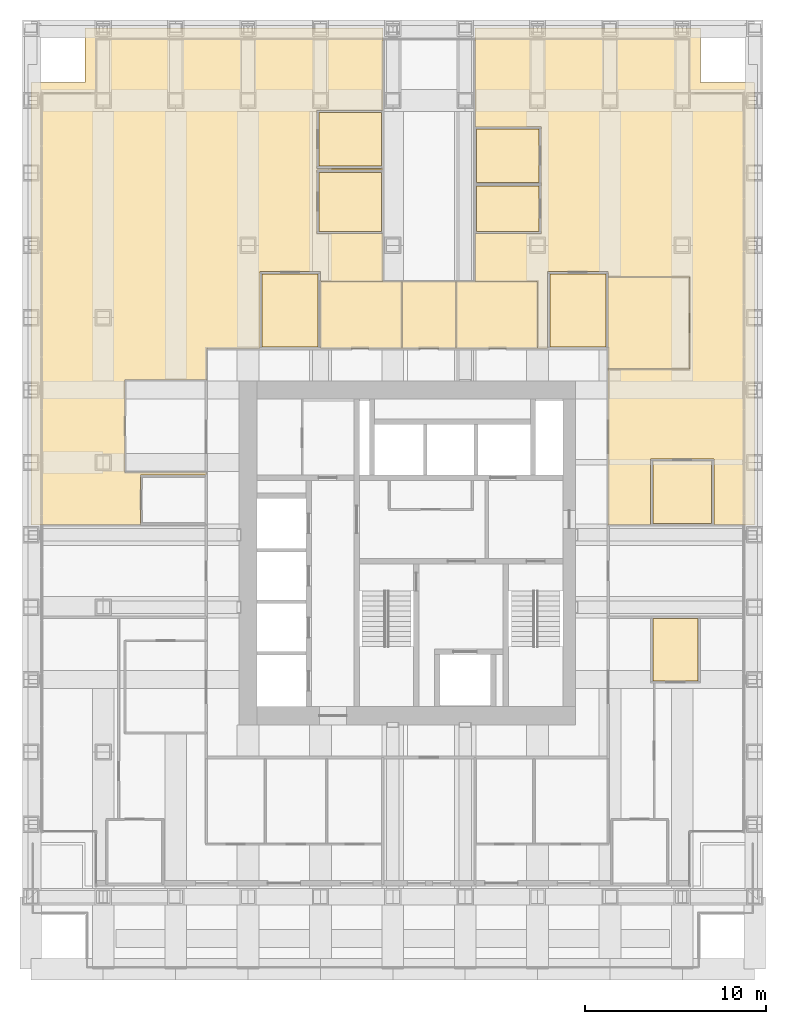
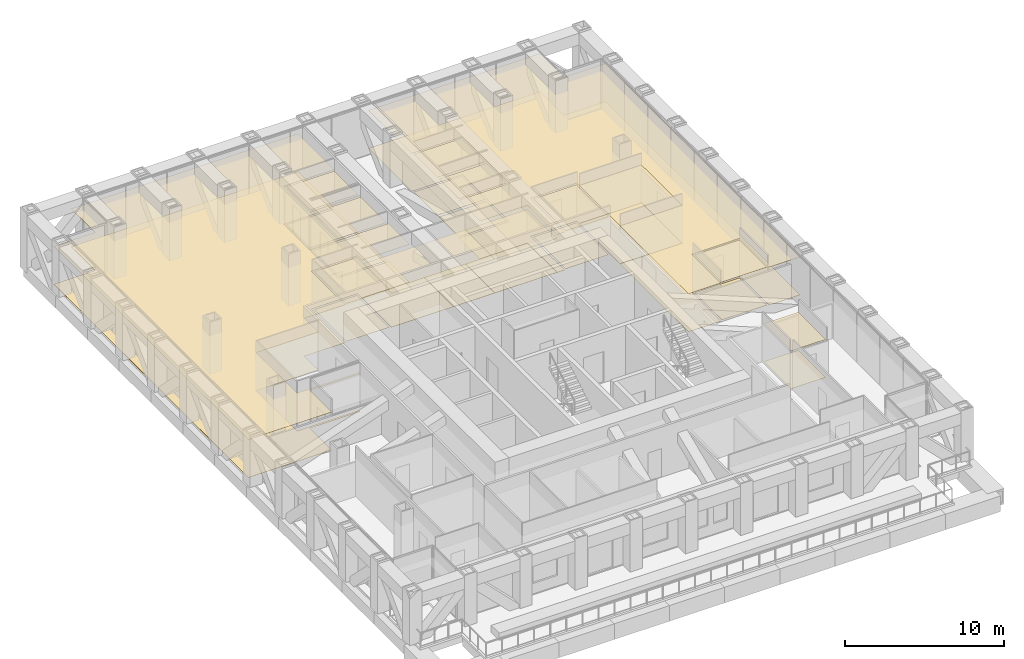
# One storey, part 15 of 16: 28 coverings.
"""IFC4 building model written with IfcOpenShell, lengths in metres."""

from ifc_helpers import new_model, si_unit, direction, frame, origin, place, context, subcontext, project, spatial, polyline, outline, extrude, material, layer, layer_set, type_object, element, save


model = new_model("IFC4")

# Units and contexts
model_context = context("Model", 3, precision=1e-05, world=origin(), true_north=direction((0.0, 1.0)))
body_context = subcontext(model_context, "Body", "Model", "MODEL_VIEW")
ifc_project = project(units=[si_unit("LENGTHUNIT", "METRE"), si_unit("AREAUNIT", "SQUARE_METRE"), si_unit("VOLUMEUNIT", "CUBIC_METRE"), si_unit("PLANEANGLEUNIT", "RADIAN"), si_unit("MASSUNIT", "GRAM", prefix="KILO")], contexts=[model_context])

# Site, building, storey
site_placement = place(None, origin())
site = spatial("IfcSite", under=ifc_project, at=site_placement, CompositionType="ELEMENT")
building_placement = place(site_placement, origin())
building = spatial("IfcBuilding", under=site, at=building_placement, Name="Rimbunsela Tower", CompositionType="ELEMENT")
storey_placement = place(building_placement, frame((0.0, 0.0, 171.800048828125)))
storey = spatial("IfcBuildingStorey", under=building, at=storey_placement, Name="L41", CompositionType="ELEMENT", Elevation=171.800048828125)

# Coverings
ifc_material_1 = material(Name="Nylon carpet tile", Category="textile")
ifc_layer_1 = layer(ifc_material_1, 0.010009765625)
ifc_layer_set_1 = layer_set([ifc_layer_1], Name="Carpet tile 10")
covering_type_1 = type_object("IfcCoveringType", Name="Carpet tile 10", PredefinedType="FLOORING", material=ifc_layer_set_1)
covering_1_placement = place(storey_placement, origin())
element("IfcCovering", 1, at=covering_1_placement, inside=storey, type_object=covering_type_1, Name="Floor finish Open office", PredefinedType="FLOORING", context=body_context, shape_type="SweptSolid", body=[
    extrude(outline(polyline([(11.199951171875, 31.450927734375), (15.699951171875, 31.450927734375), (15.699951171875, 31.300048828125), (12.050048828125, 31.300048828125), (12.050048828125, 28.551025390625), (6.0, 28.551025390625), (6.0, 53.0), (9.0, 53.0), (9.0, 56.0), (15.699951171875, 56.0), (25.448974609375, 56.0), (25.448974609375, 51.449951171875), (21.800048828125, 51.449951171875), (21.800048828125, 48.25), (25.448974609375, 48.25), (25.448974609375, 48.14990234375), (21.800048828125, 48.14990234375), (21.800048828125, 44.64990234375), (25.448974609375, 44.64990234375), (25.448974609375, 42.0), (22.0, 42.0), (22.0, 42.550048828125), (18.64990234375, 42.550048828125), (18.64990234375, 38.300048828125), (15.699951171875, 38.300048828125), (15.699951171875, 36.551025390625), (11.199951171875, 36.551025390625), (11.199951171875, 31.450927734375)])), origin(), (0.0, 0.0, 1.0), 0.010009765625),
])
covering_2_placement = place(storey_placement, origin())
element("IfcCovering", 2, at=covering_2_placement, inside=storey, type_object=covering_type_1, Name="Floor finish Open office", PredefinedType="FLOORING", context=body_context, shape_type="SweptSolid", body=[
    extrude(outline(polyline([(37.89990234375, 42.550048828125), (34.550048828125, 42.550048828125), (34.550048828125, 38.300048828125), (34.0, 38.300048828125), (34.0, 42.0), (30.551025390625, 42.0), (30.551025390625, 44.64990234375), (34.199951171875, 44.64990234375), (34.199951171875, 47.35009765625), (34.199951171875, 47.39990234375), (34.199951171875, 50.550048828125), (30.551025390625, 50.550048828125), (30.551025390625, 56.0), (37.89990234375, 56.0), (43.0, 56.0), (43.0, 53.0), (46.0, 53.0), (46.0, 28.551025390625), (43.75, 28.551025390625), (43.75, 32.199951171875), (40.25, 32.199951171875), (40.25, 28.551025390625), (37.89990234375, 28.551025390625), (37.89990234375, 37.15087890625), (42.39990234375, 37.15087890625), (42.39990234375, 42.2509765625), (37.89990234375, 42.2509765625), (37.89990234375, 42.550048828125)])), origin(), (0.0, 0.0, 1.0), 0.010009765625),
])
covering_3_placement = place(storey_placement, origin())
element("IfcCovering", 3, at=covering_3_placement, inside=storey, type_object=covering_type_1, Name="Floor finish Reception", PredefinedType="FLOORING", context=body_context, shape_type="SweptSolid", body=[
    extrude(outline(polyline([(42.39990234375, 37.15087890625), (42.39990234375, 42.2509765625), (37.89990234375, 42.2509765625), (37.89990234375, 37.15087890625), (42.39990234375, 37.15087890625)])), origin(), (0.0, 0.0, 1.0), 0.010009765625),
])
covering_4_placement = place(storey_placement, origin())
element("IfcCovering", 4, at=covering_4_placement, inside=storey, type_object=covering_type_1, Name="Floor finish Interview room", PredefinedType="FLOORING", context=body_context, shape_type="SweptSolid", body=[
    extrude(outline(polyline([(21.875, 38.375), (21.875, 42.425048828125), (18.77490234375, 42.425048828125), (18.77490234375, 38.375), (21.875, 38.375)])), origin(), (0.0, 0.0, 1.0), 0.010009765625),
])
covering_5_placement = place(storey_placement, origin())
element("IfcCovering", 5, at=covering_5_placement, inside=storey, type_object=covering_type_1, Name="Floor finish Pantry", PredefinedType="FLOORING", context=body_context, shape_type="SweptSolid", body=[
    extrude(outline(polyline([(25.375, 44.77490234375), (25.375, 48.02490234375), (21.925048828125, 48.02490234375), (21.925048828125, 44.77490234375), (25.375, 44.77490234375)])), origin(), (0.0, 0.0, 1.0), 0.010009765625),
])
covering_6_placement = place(storey_placement, origin())
element("IfcCovering", 6, at=covering_6_placement, inside=storey, type_object=covering_type_1, Name="Floor finish Office", PredefinedType="FLOORING", context=body_context, shape_type="SweptSolid", body=[
    extrude(outline(polyline([(25.375, 48.375), (25.375, 51.324951171875), (21.925048828125, 51.324951171875), (21.925048828125, 48.375), (25.375, 48.375)])), origin(), (0.0, 0.0, 1.0), 0.010009765625),
])
covering_7_placement = place(storey_placement, origin())
element("IfcCovering", 7, at=covering_7_placement, inside=storey, type_object=covering_type_1, Name="Floor finish Print and copy room", PredefinedType="FLOORING", context=body_context, shape_type="SweptSolid", body=[
    extrude(outline(polyline([(42.875, 19.925048828125), (42.875, 23.375), (40.375, 23.375), (40.375, 19.925048828125), (42.875, 19.925048828125)])), origin(), (0.0, 0.0, 1.0), 0.010009765625),
])
covering_8_placement = place(storey_placement, origin())
element("IfcCovering", 8, at=covering_8_placement, inside=storey, type_object=covering_type_1, Name="Floor finish Interview room", PredefinedType="FLOORING", context=body_context, shape_type="SweptSolid", body=[
    extrude(outline(polyline([(37.77490234375, 38.375), (37.77490234375, 42.425048828125), (34.675048828125, 42.425048828125), (34.675048828125, 38.375), (37.77490234375, 38.375)])), origin(), (0.0, 0.0, 1.0), 0.010009765625),
])
covering_9_placement = place(storey_placement, origin())
element("IfcCovering", 9, at=covering_9_placement, inside=storey, type_object=covering_type_1, Name="Floor finish Pantry", PredefinedType="FLOORING", context=body_context, shape_type="SweptSolid", body=[
    extrude(outline(polyline([(43.625, 28.625), (43.625, 32.074951171875), (40.375, 32.074951171875), (40.375, 28.625), (43.625, 28.625)])), origin(), (0.0, 0.0, 1.0), 0.010009765625),
])
covering_10_placement = place(storey_placement, origin())
element("IfcCovering", 10, at=covering_10_placement, inside=storey, type_object=covering_type_1, Name="Floor finish Print and copy room", PredefinedType="FLOORING", context=body_context, shape_type="SweptSolid", body=[
    extrude(outline(polyline([(34.074951171875, 44.77490234375), (34.074951171875, 47.27490234375), (30.625, 47.27490234375), (30.625, 44.77490234375), (34.074951171875, 44.77490234375)])), origin(), (0.0, 0.0, 1.0), 0.010009765625),
])
covering_11_placement = place(storey_placement, origin())
element("IfcCovering", 11, at=covering_11_placement, inside=storey, type_object=covering_type_1, Name="Floor finish Office", PredefinedType="FLOORING", context=body_context, shape_type="SweptSolid", body=[
    extrude(outline(polyline([(34.074951171875, 47.47509765625), (34.074951171875, 50.425048828125), (30.625, 50.425048828125), (30.625, 47.47509765625), (34.074951171875, 47.47509765625)])), origin(), (0.0, 0.0, 1.0), 0.010009765625),
])
ifc_material_2 = material(Name="Mineral fibre ceiling tile", Category="gypsum")
ifc_layer_2 = layer(ifc_material_2, 0.02001953125)
ifc_layer_set_2 = layer_set([ifc_layer_2], Name="Ceiling 600 grid")
covering_type_2 = type_object("IfcCoveringType", Name="Ceiling 600 grid", PredefinedType="CEILING", material=ifc_layer_set_2)
covering_12_placement = place(storey_placement, frame((0.0, 0.0, 2.89990234375)))
element("IfcCovering", 12, at=covering_12_placement, inside=storey, type_object=covering_type_2, Name="Ceiling Open office", PredefinedType="CEILING", context=body_context, shape_type="SweptSolid", body=[
    extrude(outline(polyline([(11.199951171875, 31.450927734375), (15.699951171875, 31.450927734375), (15.699951171875, 31.300048828125), (12.050048828125, 31.300048828125), (12.050048828125, 28.551025390625), (6.0, 28.551025390625), (6.0, 53.0), (9.0, 53.0), (9.0, 56.0), (15.699951171875, 56.0), (25.448974609375, 56.0), (25.448974609375, 51.449951171875), (21.800048828125, 51.449951171875), (21.800048828125, 48.25), (25.448974609375, 48.25), (25.448974609375, 48.14990234375), (21.800048828125, 48.14990234375), (21.800048828125, 44.64990234375), (25.448974609375, 44.64990234375), (25.448974609375, 42.0), (22.0, 42.0), (22.0, 42.550048828125), (18.64990234375, 42.550048828125), (18.64990234375, 38.300048828125), (15.699951171875, 38.300048828125), (15.699951171875, 36.551025390625), (11.199951171875, 36.551025390625), (11.199951171875, 31.450927734375)])), origin(), (0.0, 0.0, 1.0), 0.02001953125),
])
covering_13_placement = place(storey_placement, frame((0.0, 0.0, 2.89990234375)))
element("IfcCovering", 13, at=covering_13_placement, inside=storey, type_object=covering_type_2, Name="Ceiling Open office", PredefinedType="CEILING", context=body_context, shape_type="SweptSolid", body=[
    extrude(outline(polyline([(37.89990234375, 42.550048828125), (34.550048828125, 42.550048828125), (34.550048828125, 38.300048828125), (34.0, 38.300048828125), (34.0, 42.0), (30.551025390625, 42.0), (30.551025390625, 44.64990234375), (34.199951171875, 44.64990234375), (34.199951171875, 47.35009765625), (34.199951171875, 47.39990234375), (34.199951171875, 50.550048828125), (30.551025390625, 50.550048828125), (30.551025390625, 56.0), (37.89990234375, 56.0), (43.0, 56.0), (43.0, 53.0), (46.0, 53.0), (46.0, 28.551025390625), (43.75, 28.551025390625), (43.75, 32.199951171875), (40.25, 32.199951171875), (40.25, 28.551025390625), (37.89990234375, 28.551025390625), (37.89990234375, 37.15087890625), (42.39990234375, 37.15087890625), (42.39990234375, 42.2509765625), (37.89990234375, 42.2509765625), (37.89990234375, 42.550048828125)])), origin(), (0.0, 0.0, 1.0), 0.02001953125),
])
covering_14_placement = place(storey_placement, frame((0.0, 0.0, 2.89990234375)))
element("IfcCovering", 14, at=covering_14_placement, inside=storey, type_object=covering_type_2, Name="Ceiling Reception", PredefinedType="CEILING", context=body_context, shape_type="SweptSolid", body=[
    extrude(outline(polyline([(42.39990234375, 37.15087890625), (42.39990234375, 42.2509765625), (37.89990234375, 42.2509765625), (37.89990234375, 37.15087890625), (42.39990234375, 37.15087890625)])), origin(), (0.0, 0.0, 1.0), 0.02001953125),
])
covering_15_placement = place(storey_placement, frame((0.0, 0.0, 2.89990234375)))
element("IfcCovering", 15, at=covering_15_placement, inside=storey, type_object=covering_type_2, Name="Ceiling Interview room", PredefinedType="CEILING", context=body_context, shape_type="SweptSolid", body=[
    extrude(outline(polyline([(21.875, 38.375), (21.875, 42.425048828125), (18.77490234375, 42.425048828125), (18.77490234375, 38.375), (21.875, 38.375)])), origin(), (0.0, 0.0, 1.0), 0.02001953125),
])
covering_16_placement = place(storey_placement, frame((0.0, 0.0, 2.89990234375)))
element("IfcCovering", 16, at=covering_16_placement, inside=storey, type_object=covering_type_2, Name="Ceiling Pantry", PredefinedType="CEILING", context=body_context, shape_type="SweptSolid", body=[
    extrude(outline(polyline([(25.375, 44.77490234375), (25.375, 48.02490234375), (21.925048828125, 48.02490234375), (21.925048828125, 44.77490234375), (25.375, 44.77490234375)])), origin(), (0.0, 0.0, 1.0), 0.02001953125),
])
covering_17_placement = place(storey_placement, frame((0.0, 0.0, 2.89990234375)))
element("IfcCovering", 17, at=covering_17_placement, inside=storey, type_object=covering_type_2, Name="Ceiling Office", PredefinedType="CEILING", context=body_context, shape_type="SweptSolid", body=[
    extrude(outline(polyline([(25.375, 48.375), (25.375, 51.324951171875), (21.925048828125, 51.324951171875), (21.925048828125, 48.375), (25.375, 48.375)])), origin(), (0.0, 0.0, 1.0), 0.02001953125),
])
covering_18_placement = place(storey_placement, frame((0.0, 0.0, 2.89990234375)))
element("IfcCovering", 18, at=covering_18_placement, inside=storey, type_object=covering_type_2, Name="Ceiling Print and copy room", PredefinedType="CEILING", context=body_context, shape_type="SweptSolid", body=[
    extrude(outline(polyline([(42.875, 19.925048828125), (42.875, 23.375), (40.375, 23.375), (40.375, 19.925048828125), (42.875, 19.925048828125)])), origin(), (0.0, 0.0, 1.0), 0.02001953125),
])
covering_19_placement = place(storey_placement, frame((0.0, 0.0, 2.89990234375)))
element("IfcCovering", 19, at=covering_19_placement, inside=storey, type_object=covering_type_2, Name="Ceiling Interview room", PredefinedType="CEILING", context=body_context, shape_type="SweptSolid", body=[
    extrude(outline(polyline([(37.77490234375, 38.375), (37.77490234375, 42.425048828125), (34.675048828125, 42.425048828125), (34.675048828125, 38.375), (37.77490234375, 38.375)])), origin(), (0.0, 0.0, 1.0), 0.02001953125),
])
covering_20_placement = place(storey_placement, frame((0.0, 0.0, 2.89990234375)))
element("IfcCovering", 20, at=covering_20_placement, inside=storey, type_object=covering_type_2, Name="Ceiling Pantry", PredefinedType="CEILING", context=body_context, shape_type="SweptSolid", body=[
    extrude(outline(polyline([(43.625, 28.625), (43.625, 32.074951171875), (40.375, 32.074951171875), (40.375, 28.625), (43.625, 28.625)])), origin(), (0.0, 0.0, 1.0), 0.02001953125),
])
covering_21_placement = place(storey_placement, frame((0.0, 0.0, 2.89990234375)))
element("IfcCovering", 21, at=covering_21_placement, inside=storey, type_object=covering_type_2, Name="Ceiling Print and copy room", PredefinedType="CEILING", context=body_context, shape_type="SweptSolid", body=[
    extrude(outline(polyline([(34.074951171875, 44.77490234375), (34.074951171875, 47.27490234375), (30.625, 47.27490234375), (30.625, 44.77490234375), (34.074951171875, 44.77490234375)])), origin(), (0.0, 0.0, 1.0), 0.02001953125),
])
covering_22_placement = place(storey_placement, frame((0.0, 0.0, 2.89990234375)))
element("IfcCovering", 22, at=covering_22_placement, inside=storey, type_object=covering_type_2, Name="Ceiling Office", PredefinedType="CEILING", context=body_context, shape_type="SweptSolid", body=[
    extrude(outline(polyline([(34.074951171875, 47.47509765625), (34.074951171875, 50.425048828125), (30.625, 50.425048828125), (30.625, 47.47509765625), (34.074951171875, 47.47509765625)])), origin(), (0.0, 0.0, 1.0), 0.02001953125),
])
ifc_material_3 = material(Name="Moisture-resistant plasterboard ceiling", Category="gypsum")
ifc_layer_3 = layer(ifc_material_3, 0.012451171875)
ifc_layer_set_3 = layer_set([ifc_layer_3], Name="Ceiling moisture-resistant board")
covering_type_3 = type_object("IfcCoveringType", Name="Ceiling moisture-resistant board", PredefinedType="CEILING", material=ifc_layer_set_3)
covering_23_placement = place(storey_placement, frame((0.0, 0.0, 2.599853515625)))
element("IfcCovering", 23, at=covering_23_placement, inside=storey, type_object=covering_type_3, Name="Ceiling Female WC", PredefinedType="CEILING", context=body_context, shape_type="SweptSolid", body=[
    extrude(outline(polyline([(26.5, 38.300048828125), (26.5, 42.0), (22.0, 42.0), (22.0, 38.300048828125), (26.5, 38.300048828125)])), origin(), (0.0, 0.0, 1.0), 0.02001953125),
])
covering_24_placement = place(storey_placement, frame((0.0, 0.0, 2.599853515625)))
element("IfcCovering", 24, at=covering_24_placement, inside=storey, type_object=covering_type_3, Name="Ceiling Accessible WC", PredefinedType="CEILING", context=body_context, shape_type="SweptSolid", body=[
    extrude(outline(polyline([(29.5, 38.300048828125), (29.5, 42.0), (26.5, 42.0), (26.5, 38.300048828125), (29.5, 38.300048828125)])), origin(), (0.0, 0.0, 1.0), 0.02001953125),
])
covering_25_placement = place(storey_placement, frame((0.0, 0.0, 2.599853515625)))
element("IfcCovering", 25, at=covering_25_placement, inside=storey, type_object=covering_type_3, Name="Ceiling Male WC", PredefinedType="CEILING", context=body_context, shape_type="SweptSolid", body=[
    extrude(outline(polyline([(34.0, 38.300048828125), (34.0, 42.0), (29.5, 42.0), (29.5, 38.300048828125), (34.0, 38.300048828125)])), origin(), (0.0, 0.0, 1.0), 0.02001953125),
])
ifc_material_4 = material(Name="Porcelain floor tile in adhesive bed", Category="ceramic")
ifc_layer_4 = layer(ifc_material_4, 0.02001953125)
ifc_layer_set_4 = layer_set([ifc_layer_4], Name="Porcelain tile 20")
covering_type_4 = type_object("IfcCoveringType", Name="Porcelain tile 20", PredefinedType="FLOORING", material=ifc_layer_set_4)
covering_26_placement = place(storey_placement, origin())
element("IfcCovering", 26, at=covering_26_placement, inside=storey, type_object=covering_type_4, Name="Floor finish Female WC", PredefinedType="FLOORING", context=body_context, shape_type="SweptSolid", body=[
    extrude(outline(polyline([(26.5, 38.300048828125), (26.5, 42.0), (22.0, 42.0), (22.0, 38.300048828125), (26.5, 38.300048828125)])), origin(), (0.0, 0.0, 1.0), 0.02001953125),
])
covering_27_placement = place(storey_placement, origin())
element("IfcCovering", 27, at=covering_27_placement, inside=storey, type_object=covering_type_4, Name="Floor finish Accessible WC", PredefinedType="FLOORING", context=body_context, shape_type="SweptSolid", body=[
    extrude(outline(polyline([(29.5, 38.300048828125), (29.5, 42.0), (26.5, 42.0), (26.5, 38.300048828125), (29.5, 38.300048828125)])), origin(), (0.0, 0.0, 1.0), 0.02001953125),
])
covering_28_placement = place(storey_placement, origin())
element("IfcCovering", 28, at=covering_28_placement, inside=storey, type_object=covering_type_4, Name="Floor finish Male WC", PredefinedType="FLOORING", context=body_context, shape_type="SweptSolid", body=[
    extrude(outline(polyline([(34.0, 38.300048828125), (34.0, 42.0), (29.5, 42.0), (29.5, 38.300048828125), (34.0, 38.300048828125)])), origin(), (0.0, 0.0, 1.0), 0.02001953125),
])

save(model, "model.ifc")
